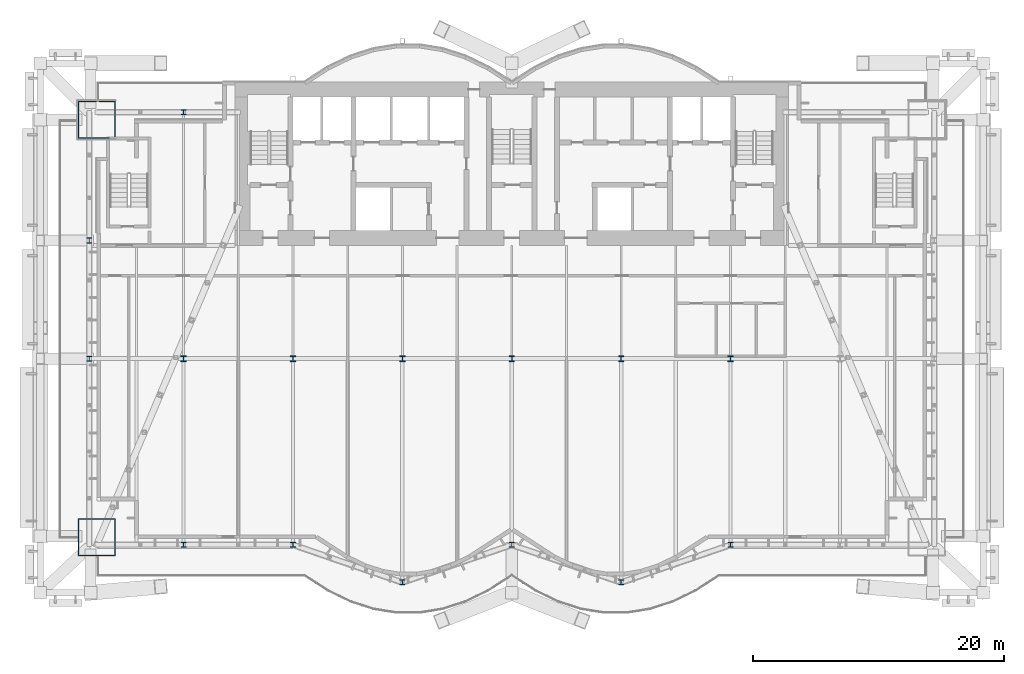
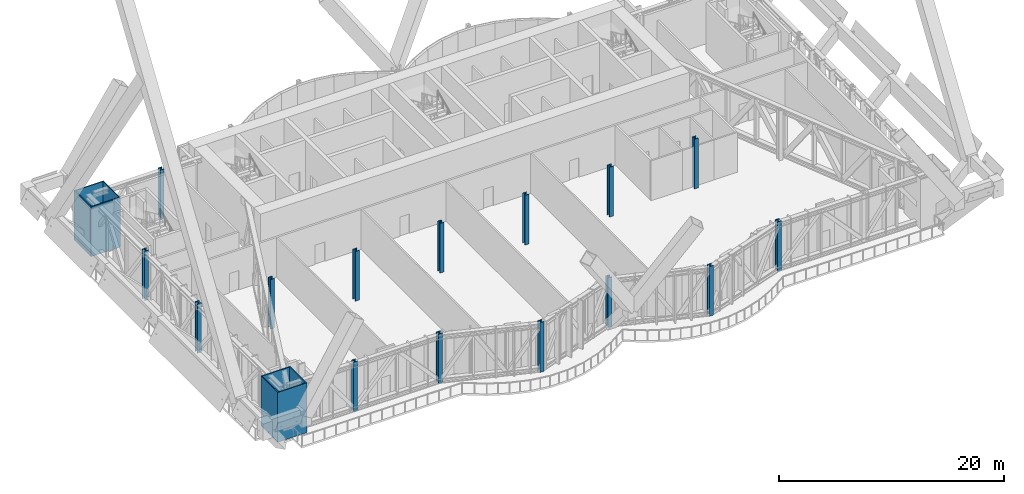
# One storey, part 1 of 32: 17 columns.
"""IFC4 building model written with IfcOpenShell, lengths in metres."""

from ifc_helpers import new_model, si_unit, direction, frame, origin, origin_2d, place, context, subcontext, project, spatial, hollow_rectangle, i_section, extrude, material, material_profile, profile_set, type_object, element, save


model = new_model("IFC4")

# Units and contexts
model_context = context("Model", 3, precision=1e-05, world=origin(), true_north=direction((0.0, 1.0)))
body_context = subcontext(model_context, "Body", "Model", "MODEL_VIEW")
ifc_project = project(units=[si_unit("LENGTHUNIT", "METRE"), si_unit("AREAUNIT", "SQUARE_METRE"), si_unit("VOLUMEUNIT", "CUBIC_METRE"), si_unit("PLANEANGLEUNIT", "RADIAN"), si_unit("MASSUNIT", "GRAM", prefix="KILO")], contexts=[model_context])

# Site, building, storey
site_placement = place(None, origin())
site = spatial("IfcSite", under=ifc_project, at=site_placement, CompositionType="ELEMENT")
building_placement = place(site_placement, origin())
building = spatial("IfcBuilding", under=site, at=building_placement, Name="Bicima Exchange Tower", CompositionType="ELEMENT")
storey_placement = place(building_placement, frame((0.0, 0.0, 84.5)))
storey = spatial("IfcBuildingStorey", under=building, at=storey_placement, Name="L17", CompositionType="ELEMENT", Elevation=84.5)

# Columns
ifc_material_1 = material(Name="Steel ASTM A992 Gr 50", Category="steel")
ifc_material_profile_1 = material_profile(ifc_material_1, i_section(OverallWidth=0.419189453125, OverallDepth=0.45458984375, WebThickness=0.042236328125, FlangeThickness=0.067626953125, at=origin_2d()))
ifc_profile_set_1 = profile_set([ifc_material_profile_1], Name="Steel ASTM A992 Gr 50")
column_type_1 = type_object("IfcColumnType", Name="Interior column W14x370", PredefinedType="COLUMN", material=ifc_profile_set_1)
for number, where, z_axis, x_axis, name in (
    (1, (-26.10009765625, -22.0, 0.0), (0.0, 0.0, 1.0), (1.0, 0.0, 0.0), "Interior column interior-26.1i"),
    (2, (-17.39990234375, -22.0, 0.0), (0.0, 0.0, 1.0), (1.0, 0.0, 0.0), "Interior column interior-17.4i"),
    (3, (-8.699951171875, -22.0, 0.0), (0.0, 0.0, 1.0), (1.0, 0.0, 0.0), "Interior column interior-8.7i"),
    (4, (0.0, -22.0, 0.0), (0.0, 0.0, 1.0), (1.0, 0.0, 0.0), "Interior column interior+0.0i"),
    (5, (8.699951171875, -22.0, 0.0), (0.0, 0.0, 1.0), (1.0, 0.0, 0.0), "Interior column interior+8.7i"),
    (6, (17.39990234375, -22.0, 0.0), (0.0, 0.0, 1.0), (1.0, 0.0, 0.0), "Interior column interior+17.4i"),
):
    element("IfcColumn", number, at=place(storey_placement, frame(where, z_axis=z_axis, x_axis=x_axis)), inside=storey, type_object=column_type_1, Name=name, PredefinedType="COLUMN", context=body_context, shape_type="SweptSolid", body=[
        extrude(i_section(OverallWidth=0.419189453125, OverallDepth=0.45458984375, WebThickness=0.042236328125, FlangeThickness=0.067626953125, at=origin_2d()), origin(), (0.0, 0.0, 1.0), 5.39990234375),
    ])
ifc_material_2 = material(Name="Steel ASTM A572 Gr 50", Category="steel")
ifc_material_profile_2 = material_profile(ifc_material_2, hollow_rectangle(XDim=3.0, YDim=3.0, WallThickness=0.10009765625, at=origin_2d()))
ifc_profile_set_2 = profile_set([ifc_material_profile_2], Name="Steel ASTM A572 Gr 50")
column_type_2 = type_object("IfcColumnType", Name="Mega column BOX 3000x3000x100", PredefinedType="COLUMN", material=ifc_profile_set_2)
for number, where, z_axis, x_axis, name in (
    (7, (-33.0, -36.194091796875, 0.0), (0.0, 0.0, 1.0), (1.0, 0.0, 0.0), "Mega column mega-33.0f"),
    (8, (-33.0, -3.0, 0.0), (0.0, 0.0, 1.0), (1.0, 0.0, 0.0), "Mega column mega-33.0r"),
):
    element("IfcColumn", number, at=place(storey_placement, frame(where, z_axis=z_axis, x_axis=x_axis)), inside=storey, type_object=column_type_2, Name=name, PredefinedType="COLUMN", context=body_context, shape_type="SweptSolid", body=[
        extrude(hollow_rectangle(XDim=3.0, YDim=3.0, WallThickness=0.10009765625, at=origin_2d()), origin(), (0.0, 0.0, 1.0), 5.39990234375),
    ])
ifc_material_profile_3 = material_profile(ifc_material_1, i_section(OverallWidth=0.406494140625, OverallDepth=0.41650390625, WebThickness=0.030029296875, FlangeThickness=0.048095703125, at=origin_2d()))
ifc_profile_set_3 = profile_set([ifc_material_profile_3], Name="Steel ASTM A992 Gr 50")
column_type_3 = type_object("IfcColumnType", Name="Perimeter column W14x257", PredefinedType="COLUMN", material=ifc_profile_set_3)
for number, where, z_axis, x_axis, name in (
    (9, (-26.10009765625, -36.7939453125, 0.0), (0.0, 0.0, 1.0), (1.0, 0.0, 0.0), "Perimeter column grav-26.1f"),
    (10, (-26.10009765625, -2.39990234375, 0.0), (0.0, 0.0, 1.0), (1.0, 0.0, 0.0), "Perimeter column grav-26.1r"),
    (11, (-17.39990234375, -36.7939453125, 0.0), (0.0, 0.0, 1.0), (1.0, 0.0, 0.0), "Perimeter column grav-17.4f"),
    (12, (-8.699951171875, -39.78515625, 0.0), (0.0, 0.0, 1.0), (1.0, 0.0, 0.0), "Perimeter column grav-8.7f"),
    (13, (0.0, -36.7939453125, 0.0), (0.0, 0.0, 1.0), (1.0, 0.0, 0.0), "Perimeter column grav-0.0f"),
    (14, (8.699951171875, -39.78515625, 0.0), (0.0, 0.0, 1.0), (1.0, 0.0, 0.0), "Perimeter column grav+8.7f"),
    (15, (17.39990234375, -36.7939453125, 0.0), (0.0, 0.0, 1.0), (1.0, 0.0, 0.0), "Perimeter column grav+17.4f"),
    (16, (-33.60009765625, -12.60009765625, 0.0), (0.0, 0.0, 1.0), (1.0, 0.0, 0.0), "End column end-33.6e"),
    (17, (-33.60009765625, -22.0, 0.0), (0.0, 0.0, 1.0), (1.0, 0.0, 0.0), "End column end-33.6e"),
):
    element("IfcColumn", number, at=place(storey_placement, frame(where, z_axis=z_axis, x_axis=x_axis)), inside=storey, type_object=column_type_3, Name=name, PredefinedType="COLUMN", context=body_context, shape_type="SweptSolid", body=[
        extrude(i_section(OverallWidth=0.406494140625, OverallDepth=0.41650390625, WebThickness=0.030029296875, FlangeThickness=0.048095703125, at=origin_2d()), origin(), (0.0, 0.0, 1.0), 5.39990234375),
    ])

save(model, "model.ifc")
